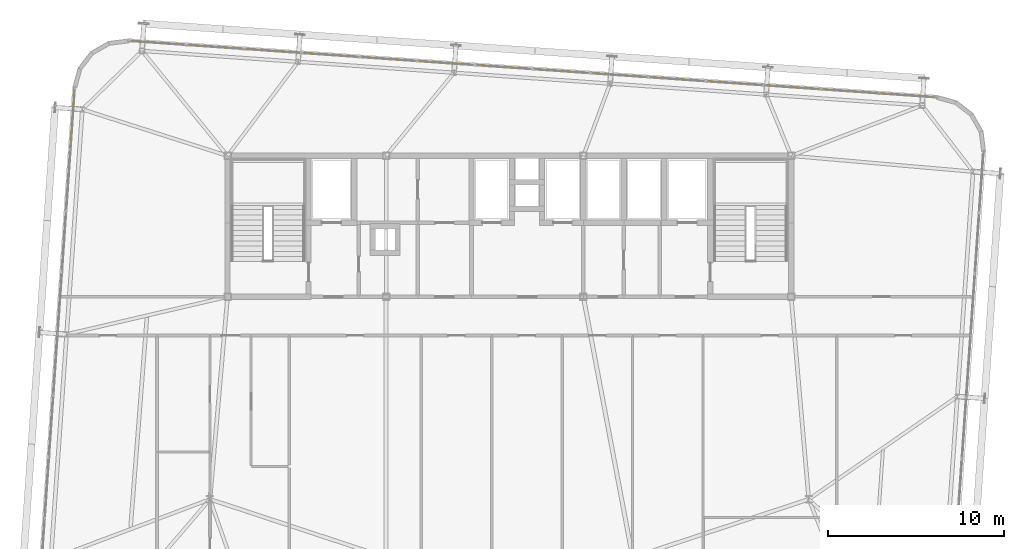
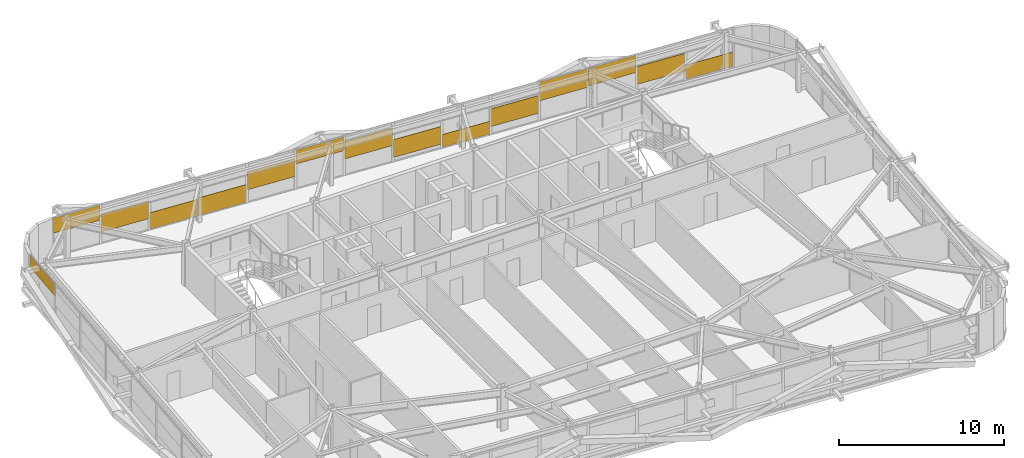
# One storey, part 47 of 47: 15 coverings.
"""IFC4 building model written with IfcOpenShell, lengths in metres."""

from ifc_helpers import new_model, si_unit, direction, frame, origin, origin_2d, place, context, subcontext, project, spatial, rectangle, extrude, source, transform, mapped, material, layer, layer_set, type_object, element, save


model = new_model("IFC4")

# Units and contexts
model_context = context("Model", 3, precision=1e-05, world=origin(), true_north=direction((0.0, 1.0)))
body_context = subcontext(model_context, "Body", "Model", "MODEL_VIEW")
ifc_project = project(units=[si_unit("LENGTHUNIT", "METRE"), si_unit("AREAUNIT", "SQUARE_METRE"), si_unit("VOLUMEUNIT", "CUBIC_METRE"), si_unit("PLANEANGLEUNIT", "RADIAN"), si_unit("MASSUNIT", "GRAM", prefix="KILO")], contexts=[model_context])

# Site, building, storey
site_placement = place(None, origin())
site = spatial("IfcSite", under=ifc_project, at=site_placement, CompositionType="ELEMENT")
building_placement = place(site_placement, origin())
building = spatial("IfcBuilding", under=site, at=building_placement, Name="Taldren Reach Tower", CompositionType="ELEMENT")
storey_placement = place(building_placement, frame((0.0, 0.0, 142.449951171875)))
storey = spatial("IfcBuildingStorey", under=building, at=storey_placement, Name="L43", CompositionType="ELEMENT", Elevation=142.449951171875)

# Coverings
ifc_material = material(Name="Pale Champagne Fluoropolymer Aluminium Spandrel Cladding", Category="aluminium")
ifc_layer = layer(ifc_material, 0.0439453125)
ifc_layer_set = layer_set([ifc_layer], Name="Pale Champagne Fluoropolymer Aluminium Spandrel Cladding")
covering_type = type_object("IfcCoveringType", Name="CV-CLAD-044", PredefinedType="CLADDING", material=ifc_layer_set)
shared_shape_1 = source(origin(), body_context, "Body", "SweptSolid", [
    extrude(rectangle(XDim=3.1806640625, YDim=0.0439453125, at=origin_2d()), origin(), (0.0, 0.0, 1.0), 1.05322265625),
])
covering_1_placement = place(storey_placement, frame((57.61376953125, 35.430419921875, 0.054931640625), z_axis=(0.0, 0.0, 1.0), x_axis=(-0.99756404731, 0.06975651593, 0.0)))
element("IfcCovering", 1, at=covering_1_placement, inside=storey, type_object=covering_type, Name="Diagrid closure cladding strip CW-4 panel 1.1 1", PredefinedType="CLADDING", context=body_context, shape_type="MappedRepresentation", body=[
    mapped(shared_shape_1, transform((0.0, 0.0, 0.0), scale=1.0)),
])
shared_shape_2 = source(origin(), body_context, "Body", "SweptSolid", [
    extrude(rectangle(XDim=3.2158203125, YDim=0.0439453125, at=origin_2d()), origin(), (0.0, 0.0, 1.0), 1.31494140625),
])
for number, where, z_axis, x_axis, name in (
    (2, (54.353515625, 35.658447265625, 0.6923828125), (0.0, 0.0, 1.0), (-0.99756404731, 0.06975651593, 0.0), "Diagrid closure cladding strip CW-4 panel 2.1 1"),
    (3, (44.520263671875, 36.345947265625, 0.595458984375), (0.0, 0.0, 1.0), (-0.99756404731, 0.06975651593, 0.0), "Diagrid closure cladding strip CW-4 panel 5.1 1"),
    (4, (37.96484375, 36.804443359375, 0.328125), (0.0, 0.0, 1.0), (-0.99756404731, 0.06975651593, 0.0), "Diagrid closure cladding strip CW-4 panel 7.1 1"),
    (5, (34.687255859375, 37.033447265625, 1.22705078125), (0.0, 0.0, 1.0), (-0.99756404731, 0.06975651593, 0.0), "Diagrid closure cladding strip CW-4 panel 8.1 1"),
    (6, (28.1318359375, 37.491943359375, 0.959716796875), (0.0, 0.0, 1.0), (-0.99756404731, 0.06975651593, 0.0), "Diagrid closure cladding strip CW-4 panel 10.1 1"),
    (7, (18.298583984375, 38.179443359375, 0.86279296875), (0.0, 0.0, 1.0), (-0.99756404731, 0.06975651593, 0.0), "Diagrid closure cladding strip CW-4 panel 13.1 1"),
):
    element("IfcCovering", number, at=place(storey_placement, frame(where, z_axis=z_axis, x_axis=x_axis)), inside=storey, type_object=covering_type, Name=name, PredefinedType="CLADDING", context=body_context, shape_type="MappedRepresentation", body=[
        mapped(shared_shape_2, transform((0.0, 0.0, 0.0), scale=1.0)),
    ])
shared_shape_3 = source(origin(), body_context, "Body", "SweptSolid", [
    extrude(rectangle(XDim=3.2158203125, YDim=0.0439453125, at=origin_2d()), origin(), (0.0, 0.0, 1.0), 1.28369140625),
])
covering_2_placement = place(storey_placement, frame((51.07568359375, 35.887451171875, 1.59130859375), z_axis=(0.0, 0.0, 1.0), x_axis=(-0.99756404731, 0.06975651593, 0.0)))
element("IfcCovering", 8, at=covering_2_placement, inside=storey, type_object=covering_type, Name="Diagrid closure cladding strip CW-4 panel 3.1 1", PredefinedType="CLADDING", context=body_context, shape_type="MappedRepresentation", body=[
    mapped(shared_shape_3, transform((0.0, 0.0, 0.0), scale=1.0)),
])
shared_shape_4 = source(origin(), body_context, "Body", "SweptSolid", [
    extrude(rectangle(XDim=3.2158203125, YDim=0.0439453125, at=origin_2d()), origin(), (0.0, 0.0, 1.0), 1.380615234375),
])
covering_3_placement = place(storey_placement, frame((47.798095703125, 36.11669921875, 1.49462890625), z_axis=(0.0, 0.0, 1.0), x_axis=(-0.99756404731, 0.06975651593, 0.0)))
element("IfcCovering", 9, at=covering_3_placement, inside=storey, type_object=covering_type, Name="Diagrid closure cladding strip CW-4 panel 4.1 1", PredefinedType="CLADDING", context=body_context, shape_type="MappedRepresentation", body=[
    mapped(shared_shape_4, transform((0.0, 0.0, 0.0), scale=1.0)),
])
shared_shape_5 = source(origin(), body_context, "Body", "SweptSolid", [
    extrude(rectangle(XDim=3.2158203125, YDim=0.0439453125, at=origin_2d()), origin(), (0.0, 0.0, 1.0), 0.956298828125),
])
covering_4_placement = place(storey_placement, frame((41.24267578125, 36.5751953125, 0.05517578125), z_axis=(0.0, 0.0, 1.0), x_axis=(-0.99756404731, 0.06975651593, 0.0)))
element("IfcCovering", 10, at=covering_4_placement, inside=storey, type_object=covering_type, Name="Diagrid closure cladding strip CW-4 panel 6.1 1", PredefinedType="CLADDING", context=body_context, shape_type="MappedRepresentation", body=[
    mapped(shared_shape_5, transform((0.0, 0.0, 0.0), scale=1.0)),
])
shared_shape_6 = source(origin(), body_context, "Body", "SweptSolid", [
    extrude(rectangle(XDim=3.2158203125, YDim=0.0439453125, at=origin_2d()), origin(), (0.0, 0.0, 1.0), 1.01611328125),
])
covering_5_placement = place(storey_placement, frame((31.409423828125, 37.2626953125, 1.85888671875), z_axis=(0.0, 0.0, 1.0), x_axis=(-0.99756404731, 0.06975651593, 0.0)))
element("IfcCovering", 11, at=covering_5_placement, inside=storey, type_object=covering_type, Name="Diagrid closure cladding strip CW-4 panel 9.1 1", PredefinedType="CLADDING", context=body_context, shape_type="MappedRepresentation", body=[
    mapped(shared_shape_6, transform((0.0, 0.0, 0.0), scale=1.0)),
])
shared_shape_7 = source(origin(), body_context, "Body", "SweptSolid", [
    extrude(rectangle(XDim=3.2158203125, YDim=0.0439453125, at=origin_2d()), origin(), (0.0, 0.0, 1.0), 1.320556640625),
])
covering_6_placement = place(storey_placement, frame((24.85400390625, 37.72119140625, 0.05517578125), z_axis=(0.0, 0.0, 1.0), x_axis=(-0.99756404731, 0.06975651593, 0.0)))
element("IfcCovering", 12, at=covering_6_placement, inside=storey, type_object=covering_type, Name="Diagrid closure cladding strip CW-4 panel 11.1 1", PredefinedType="CLADDING", context=body_context, shape_type="MappedRepresentation", body=[
    mapped(shared_shape_7, transform((0.0, 0.0, 0.0), scale=1.0)),
])
shared_shape_8 = source(origin(), body_context, "Body", "SweptSolid", [
    extrude(rectangle(XDim=3.2158203125, YDim=0.0439453125, at=origin_2d()), origin(), (0.0, 0.0, 1.0), 1.2236328125),
])
covering_7_placement = place(storey_placement, frame((21.576416015625, 37.950439453125, 0.054931640625), z_axis=(0.0, 0.0, 1.0), x_axis=(-0.99756404731, 0.06975651593, 0.0)))
element("IfcCovering", 13, at=covering_7_placement, inside=storey, type_object=covering_type, Name="Diagrid closure cladding strip CW-4 panel 12.1 1", PredefinedType="CLADDING", context=body_context, shape_type="MappedRepresentation", body=[
    mapped(shared_shape_8, transform((0.0, 0.0, 0.0), scale=1.0)),
])
shared_shape_9 = source(origin(), body_context, "Body", "SweptSolid", [
    extrude(rectangle(XDim=3.1806640625, YDim=0.0439453125, at=origin_2d()), origin(), (0.0, 0.0, 1.0), 1.11328125),
])
covering_8_placement = place(storey_placement, frame((15.038330078125, 38.407470703125, 1.76171875), z_axis=(0.0, 0.0, 1.0), x_axis=(-0.99756404731, 0.06975651593, 0.0)))
element("IfcCovering", 14, at=covering_8_placement, inside=storey, type_object=covering_type, Name="Diagrid closure cladding strip CW-4 panel 14.1 1", PredefinedType="CLADDING", context=body_context, shape_type="MappedRepresentation", body=[
    mapped(shared_shape_9, transform((0.0, 0.0, 0.0), scale=1.0)),
])
shared_shape_10 = source(origin(), body_context, "Body", "SweptSolid", [
    extrude(rectangle(XDim=3.39501953125, YDim=0.0439453125, at=origin_2d()), origin(), (0.0, 0.0, 1.0), 0.86865234375),
])
covering_9_placement = place(storey_placement, frame((10.206298828125, 34.106689453125, 2.00634765625), z_axis=(0.0, 0.0, 1.0), x_axis=(-0.069756437251, -0.997564052812, 0.0)))
element("IfcCovering", 15, at=covering_9_placement, inside=storey, type_object=covering_type, Name="Diagrid closure cladding strip CW-4 panel 1.1 1", PredefinedType="CLADDING", context=body_context, shape_type="MappedRepresentation", body=[
    mapped(shared_shape_10, transform((0.0, 0.0, 0.0), scale=1.0)),
])

save(model, "model.ifc")
